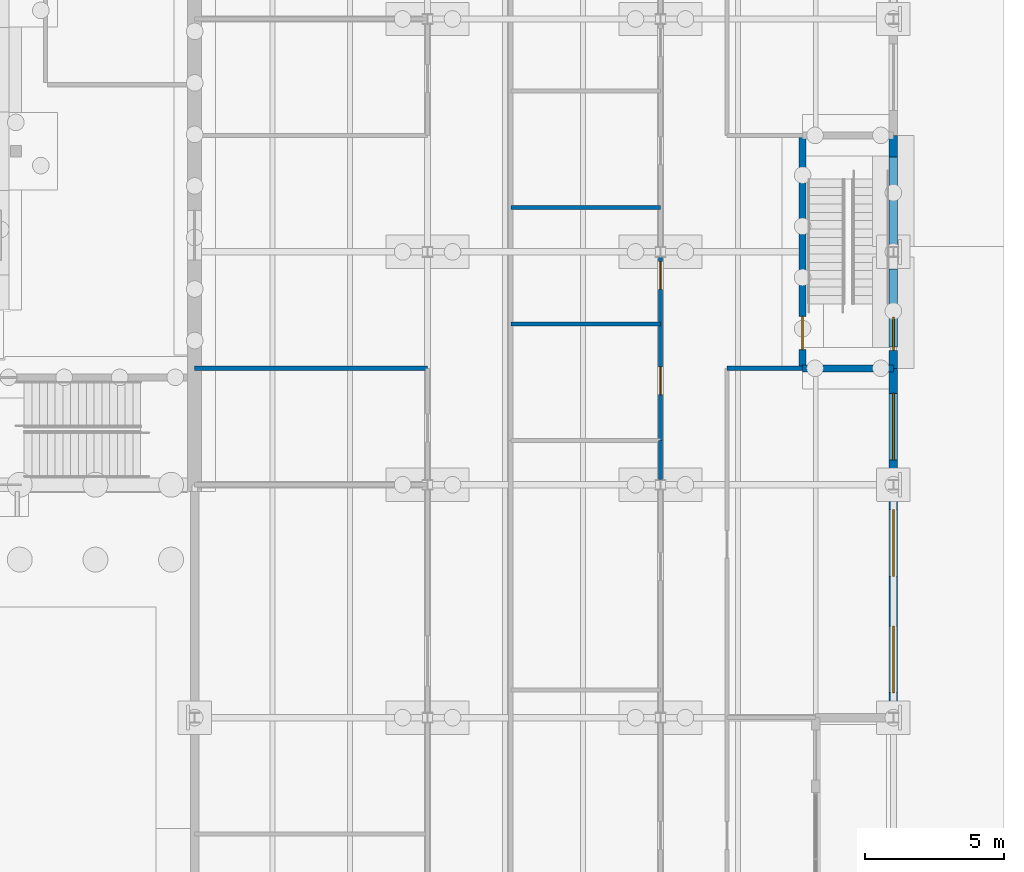
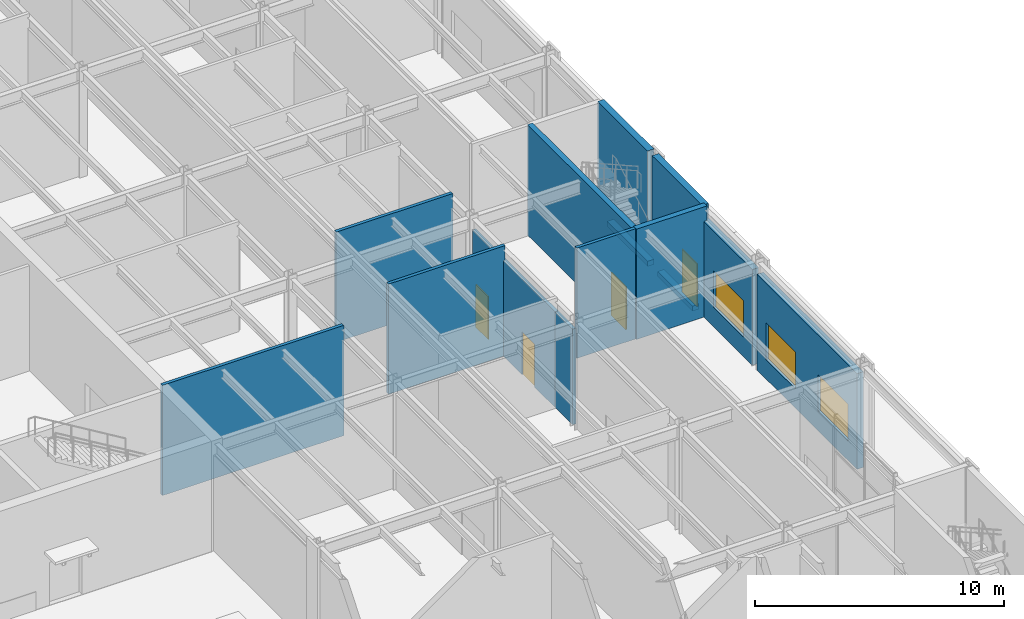
# One storey, part 63 of 127: 14 walls, 4 doors, 3 windows, 7 openings.
"""IFC4 building model written with IfcOpenShell, lengths in metres."""

from ifc_helpers import new_model, si_unit, direction, frame, frame_2d, origin, place, context, subcontext, project, spatial, rectangle, extrude, material, layer, layer_set, type_object, element, fill, save


model = new_model("IFC4")

# Units and contexts
model_context = context("Model", 3, precision=1e-05, world=origin(), true_north=direction((0.0, 1.0)))
body_context = subcontext(model_context, "Body", "Model", "MODEL_VIEW")
ifc_project = project(units=[si_unit("LENGTHUNIT", "METRE"), si_unit("AREAUNIT", "SQUARE_METRE"), si_unit("VOLUMEUNIT", "CUBIC_METRE"), si_unit("PLANEANGLEUNIT", "RADIAN"), si_unit("MASSUNIT", "GRAM", prefix="KILO")], contexts=[model_context])

# Site, building, storey
site_placement = place(None, origin())
site = spatial("IfcSite", under=ifc_project, at=site_placement, CompositionType="ELEMENT")
building_placement = place(site_placement, origin())
building = spatial("IfcBuilding", under=site, at=building_placement, Name="Ljudholm Concert House", CompositionType="ELEMENT")
storey_placement = place(building_placement, origin())
storey = spatial("IfcBuildingStorey", under=building, at=storey_placement, Name="L00", CompositionType="ELEMENT", Elevation=0.0)

# Wall, openings, doors
ifc_material_1 = material(Name="Gypsum board on steel studs", Category="steel")
ifc_layer_1 = layer(ifc_material_1, 0.14990234375)
ifc_layer_set_1 = layer_set([ifc_layer_1], Name="Gypsum board on steel studs")
wall_type_1 = type_object("IfcWallType", Name="GYPSUM PARTITION 150", PredefinedType="PARTITIONING", material=ifc_layer_set_1)
wall_1_placement = place(storey_placement, frame((113.199951171875, 56.0, 0.0), z_axis=(0.0, 0.0, 1.0), x_axis=(0.0, 1.0, 0.0)))
wall_1 = element("IfcWall", 1, at=wall_1_placement, inside=storey, type_object=wall_type_1, Name="Partition", PredefinedType="PARTITIONING", context=body_context, shape_type="SweptSolid", body=[
    extrude(rectangle(XDim=6.61328125, YDim=0.14990234375, at=frame_2d((3.306640625, 0.0))), origin(), (0.0, 0.0, 1.0), 4.6865234375),
])
opening_1_placement = place(wall_1_placement, frame((1.64990234375, 0.0, 0.0)))
opening_1 = element("IfcOpeningElement", 2, at=opening_1_placement, cuts=wall_1, Name="Opening D-W00-029", PredefinedType="OPENING", context=body_context, shape_type="SweptSolid", body=[
    extrude(rectangle(XDim=1.0, YDim=2.10009765625, at=frame_2d((0.5, 1.050048828125))), frame((0.0, 0.0849609375, 0.0), z_axis=(0.0, -1.0, 0.0), x_axis=(1.0, 0.0, 0.0)), (0.0, 0.0, 1.0), 0.169921875),
])
opening_2_placement = place(wall_1_placement, frame((5.449951171875, 0.0, 0.0)))
opening_2 = element("IfcOpeningElement", 3, at=opening_2_placement, cuts=wall_1, Name="Opening D-W00-030", PredefinedType="OPENING", context=body_context, shape_type="SweptSolid", body=[
    extrude(rectangle(XDim=1.0, YDim=2.10009765625, at=frame_2d((0.5, 1.050048828125))), frame((0.0, 0.0849609375, 0.0), z_axis=(0.0, -1.0, 0.0), x_axis=(1.0, 0.0, 0.0)), (0.0, 0.0, 1.0), 0.169921875),
])
ifc_material_2 = material(Name="Hollow metal door in steel frame", Category="steel")
door_type_1 = type_object("IfcDoorType", Name="SWING DOOR 1000x2100", OperationType="SINGLE_SWING_LEFT", PredefinedType="DOOR", material=ifc_material_2)
door_1_placement = place(opening_1_placement, origin())
door_1 = element("IfcDoor", 4, at=door_1_placement, inside=storey, type_object=door_type_1, Name="Door", OperationType="SINGLE_SWING_LEFT", OverallHeight=2.10009765625, OverallWidth=1.0, PredefinedType="DOOR", context=body_context, shape_type="SweptSolid", body=[
    extrude(rectangle(XDim=1.0, YDim=2.10009765625, at=frame_2d((0.5, 1.050048828125))), frame((0.0, 0.02490234375, 0.0), z_axis=(0.0, -1.0, 0.0), x_axis=(1.0, 0.0, 0.0)), (0.0, 0.0, 1.0), 0.050048828125),
])
fill(opening_1, door_1)
door_2_placement = place(opening_2_placement, origin())
door_2 = element("IfcDoor", 5, at=door_2_placement, inside=storey, type_object=door_type_1, Name="Door", OperationType="SINGLE_SWING_LEFT", OverallHeight=2.10009765625, OverallWidth=1.0, PredefinedType="DOOR", context=body_context, shape_type="SweptSolid", body=[
    extrude(rectangle(XDim=1.0, YDim=2.10009765625, at=frame_2d((0.5, 1.050048828125))), frame((0.0, 0.02490234375, 0.0), z_axis=(0.0, -1.0, 0.0), x_axis=(1.0, 0.0, 0.0)), (0.0, 0.0, 1.0), 0.050048828125),
])
fill(opening_2, door_2)

# Walls
wall_2_placement = place(storey_placement, frame((113.199951171875, 54.586669921875, 0.0), z_axis=(0.0, 0.0, 1.0), x_axis=(0.0, 1.0, 0.0)))
element("IfcWall", 6, at=wall_2_placement, inside=storey, type_object=wall_type_1, Name="Partition", PredefinedType="PARTITIONING", context=body_context, shape_type="SweptSolid", body=[
    extrude(rectangle(XDim=1.413330078125, YDim=0.14990234375, at=frame_2d((0.70654296875, 0.0))), origin(), (0.0, 0.0, 1.0), 4.6865234375),
])
wall_3_placement = place(storey_placement, frame((96.39990234375, 58.60009765625, 0.0), z_axis=(0.0, 0.0, 1.0), x_axis=(1.0, 0.0, 0.0)))
element("IfcWall", 7, at=wall_3_placement, inside=storey, type_object=wall_type_1, Name="Partition", PredefinedType="PARTITIONING", context=body_context, shape_type="SweptSolid", body=[
    extrude(rectangle(XDim=8.400146484375, YDim=0.14990234375, at=frame_2d((4.2001953125, 0.0))), origin(), (0.0, 0.0, 1.0), 5.39990234375),
])
wall_4_placement = place(storey_placement, frame((115.60009765625, 58.60009765625, 0.0), z_axis=(0.0, 0.0, 1.0), x_axis=(1.0, 0.0, 0.0)))
element("IfcWall", 8, at=wall_4_placement, inside=storey, type_object=wall_type_1, Name="Partition", PredefinedType="PARTITIONING", context=body_context, shape_type="SweptSolid", body=[
    extrude(rectangle(XDim=2.724853515625, YDim=0.14990234375, at=frame_2d((1.3623046875, 0.0))), origin(), (0.0, 0.0, 1.0), 5.39990234375),
])
for number, where, z_axis, x_axis, name in (
    (9, (107.800048828125, 60.199951171875, 0.0), (0.0, 0.0, 1.0), (1.0, 0.0, 0.0), "Partition"),
    (10, (107.800048828125, 64.39990234375, 0.0), (0.0, 0.0, 1.0), (1.0, 0.0, 0.0), "Partition"),
):
    element("IfcWall", number, at=place(storey_placement, frame(where, z_axis=z_axis, x_axis=x_axis)), inside=storey, type_object=wall_type_1, Name=name, PredefinedType="PARTITIONING", context=body_context, shape_type="SweptSolid", body=[
        extrude(rectangle(XDim=5.39990234375, YDim=0.14990234375, at=frame_2d((2.699951171875, 0.0))), origin(), (0.0, 0.0, 1.0), 5.39990234375),
    ])

# Wall, openings, windows
ifc_material_3 = material(Name="Precast concrete 5,000 psi", Category="concrete")
ifc_layer_2 = layer(ifc_material_3, 0.300048828125)
ifc_layer_set_2 = layer_set([ifc_layer_2], Name="Precast concrete 5,000 psi")
wall_type_2 = type_object("IfcWallType", Name="PRECAST PANEL WALL 300", PredefinedType="SOLIDWALL", material=ifc_layer_set_2)
wall_5_placement = place(storey_placement, frame((121.60009765625, 46.186767578125, 0.0), z_axis=(0.0, 0.0, 1.0), x_axis=(0.0, 1.0, 0.0)))
wall_5 = element("IfcWall", 11, at=wall_5_placement, inside=storey, type_object=wall_type_2, Name="Facade wall", PredefinedType="SOLIDWALL", context=body_context, shape_type="SweptSolid", body=[
    extrude(rectangle(XDim=8.026611328125, YDim=0.300048828125, at=frame_2d((4.01318359375, 0.0))), origin(), (0.0, 0.0, 1.0), 4.6865234375),
])
opening_3_placement = place(wall_5_placement, frame((0.71337890625, 0.0, 0.949951171875)))
opening_3 = element("IfcOpeningElement", 12, at=opening_3_placement, cuts=wall_5, Name="Opening X-W00-003", PredefinedType="OPENING", context=body_context, shape_type="SweptSolid", body=[
    extrude(rectangle(XDim=2.39990234375, YDim=1.800048828125, at=frame_2d((1.199951171875, 0.89990234375))), frame((0.0, 0.159912109375, 0.0), z_axis=(0.0, -1.0, 0.0), x_axis=(1.0, 0.0, 0.0)), (0.0, 0.0, 1.0), 0.320068359375),
])
opening_4_placement = place(wall_5_placement, frame((4.913330078125, 0.0, 0.949951171875)))
opening_4 = element("IfcOpeningElement", 13, at=opening_4_placement, cuts=wall_5, Name="Opening X-W00-004", PredefinedType="OPENING", context=body_context, shape_type="SweptSolid", body=[
    extrude(rectangle(XDim=2.39990234375, YDim=1.800048828125, at=frame_2d((1.199951171875, 0.89990234375))), frame((0.0, 0.159912109375, 0.0), z_axis=(0.0, -1.0, 0.0), x_axis=(1.0, 0.0, 0.0)), (0.0, 0.0, 1.0), 0.320068359375),
])
ifc_material_4 = material(Name="Aluminium frame, impact glazing", Category="aluminium")
window_type = type_object("IfcWindowType", Name="CASEMENT WINDOW 2400x1800", PartitioningType="DOUBLE_PANEL_VERTICAL", PredefinedType="WINDOW", material=ifc_material_4)
window_1_placement = place(opening_3_placement, origin())
window_1 = element("IfcWindow", 14, at=window_1_placement, inside=storey, type_object=window_type, Name="Window", OverallHeight=1.800048828125, OverallWidth=2.39990234375, PartitioningType="DOUBLE_PANEL_VERTICAL", PredefinedType="WINDOW", context=body_context, shape_type="SweptSolid", body=[
    extrude(rectangle(XDim=2.39990234375, YDim=1.800048828125, at=frame_2d((1.199951171875, 0.89990234375))), frame((0.0, 0.030029296875, 0.0), z_axis=(0.0, -1.0, 0.0), x_axis=(1.0, 0.0, 0.0)), (0.0, 0.0, 1.0), 0.06005859375),
])
fill(opening_3, window_1)
window_2_placement = place(opening_4_placement, origin())
window_2 = element("IfcWindow", 15, at=window_2_placement, inside=storey, type_object=window_type, Name="Window", OverallHeight=1.800048828125, OverallWidth=2.39990234375, PartitioningType="DOUBLE_PANEL_VERTICAL", PredefinedType="WINDOW", context=body_context, shape_type="SweptSolid", body=[
    extrude(rectangle(XDim=2.39990234375, YDim=1.800048828125, at=frame_2d((1.199951171875, 0.89990234375))), frame((0.0, 0.030029296875, 0.0), z_axis=(0.0, -1.0, 0.0), x_axis=(1.0, 0.0, 0.0)), (0.0, 0.0, 1.0), 0.06005859375),
])
fill(opening_4, window_2)

# Wall, opening, window
wall_6_placement = place(storey_placement, frame((121.60009765625, 54.586669921875, 0.0), z_axis=(0.0, 0.0, 1.0), x_axis=(0.0, 1.0, 0.0)))
wall_6 = element("IfcWall", 16, at=wall_6_placement, inside=storey, type_object=wall_type_2, Name="Facade wall", PredefinedType="SOLIDWALL", context=body_context, shape_type="SweptSolid", body=[
    extrude(rectangle(XDim=4.013427734375, YDim=0.300048828125, at=frame_2d((2.0068359375, 0.0))), origin(), (0.0, 0.0, 1.0), 4.6865234375),
])
opening_5_placement = place(wall_6_placement, frame((0.71337890625, 0.0, 0.949951171875)))
opening_5 = element("IfcOpeningElement", 17, at=opening_5_placement, cuts=wall_6, Name="Opening X-W00-005", PredefinedType="OPENING", context=body_context, shape_type="SweptSolid", body=[
    extrude(rectangle(XDim=2.39990234375, YDim=1.800048828125, at=frame_2d((1.199951171875, 0.89990234375))), frame((0.0, 0.159912109375, 0.0), z_axis=(0.0, -1.0, 0.0), x_axis=(1.0, 0.0, 0.0)), (0.0, 0.0, 1.0), 0.320068359375),
])
window_3_placement = place(opening_5_placement, origin())
window_3 = element("IfcWindow", 18, at=window_3_placement, inside=storey, type_object=window_type, Name="Window", OverallHeight=1.800048828125, OverallWidth=2.39990234375, PartitioningType="DOUBLE_PANEL_VERTICAL", PredefinedType="WINDOW", context=body_context, shape_type="SweptSolid", body=[
    extrude(rectangle(XDim=2.39990234375, YDim=1.800048828125, at=frame_2d((1.199951171875, 0.89990234375))), frame((0.0, 0.030029296875, 0.0), z_axis=(0.0, -1.0, 0.0), x_axis=(1.0, 0.0, 0.0)), (0.0, 0.0, 1.0), 0.06005859375),
])
fill(opening_5, window_3)

# Wall, opening, door
ifc_material_5 = material(Name="Concrete 6,500 psi", Category="concrete")
ifc_layer_3 = layer(ifc_material_5, 0.25)
ifc_layer_set_3 = layer_set([ifc_layer_3], Name="Concrete 6,500 psi")
wall_type_3 = type_object("IfcWallType", Name="RC CORE WALL 250", PredefinedType="SHEAR", material=ifc_layer_set_3)
wall_7_placement = place(storey_placement, frame((118.324951171875, 58.60009765625, 0.0), z_axis=(0.0, 0.0, 1.0), x_axis=(0.0, 1.0, 0.0)))
wall_7 = element("IfcWall", 19, at=wall_7_placement, inside=storey, type_object=wall_type_3, Name="Stair core wall", PredefinedType="SHEAR", context=body_context, shape_type="SweptSolid", body=[
    extrude(rectangle(XDim=8.39990234375, YDim=0.25, at=frame_2d((4.199951171875, 0.0))), origin(), (0.0, 0.0, 1.0), 5.39990234375),
])
opening_6_placement = place(wall_7_placement, frame((0.675048828125, 0.0, 0.0)))
opening_6 = element("IfcOpeningElement", 20, at=opening_6_placement, cuts=wall_7, Name="Opening D-W00-012", PredefinedType="OPENING", context=body_context, shape_type="SweptSolid", body=[
    extrude(rectangle(XDim=1.199951171875, YDim=2.10009765625, at=frame_2d((0.60009765625, 1.050048828125))), frame((0.0, 0.135009765625, 0.0), z_axis=(0.0, -1.0, 0.0), x_axis=(1.0, 0.0, 0.0)), (0.0, 0.0, 1.0), 0.27001953125),
])
ifc_material_6 = material(Name="Hollow metal door in steel frame", Category="steel")
door_type_2 = type_object("IfcDoorType", Name="SWING DOOR 1200x2100", OperationType="SINGLE_SWING_LEFT", PredefinedType="DOOR", material=ifc_material_6)
door_3_placement = place(opening_6_placement, origin())
door_3 = element("IfcDoor", 21, at=door_3_placement, inside=storey, type_object=door_type_2, Name="Door", OperationType="SINGLE_SWING_LEFT", OverallHeight=2.10009765625, OverallWidth=1.199951171875, PredefinedType="DOOR", context=body_context, shape_type="SweptSolid", body=[
    extrude(rectangle(XDim=1.199951171875, YDim=2.10009765625, at=frame_2d((0.60009765625, 1.050048828125))), frame((0.0, 0.02490234375, 0.0), z_axis=(0.0, -1.0, 0.0), x_axis=(1.0, 0.0, 0.0)), (0.0, 0.0, 1.0), 0.050048828125),
])
fill(opening_6, door_3)

# Wall
wall_8_placement = place(storey_placement, frame((118.324951171875, 58.60009765625, 0.0), z_axis=(0.0, 0.0, 1.0), x_axis=(1.0, 0.0, 0.0)))
element("IfcWall", 22, at=wall_8_placement, inside=storey, type_object=wall_type_3, Name="Stair core wall", PredefinedType="SHEAR", context=body_context, shape_type="SweptSolid", body=[
    extrude(rectangle(XDim=3.275146484375, YDim=0.25, at=frame_2d((1.6376953125, 0.0))), origin(), (0.0, 0.0, 1.0), 5.39990234375),
])

# Wall, opening, door
ifc_material_7 = material(Name="Concrete 6,500 psi", Category="concrete")
ifc_layer_4 = layer(ifc_material_7, 0.300048828125)
ifc_layer_set_4 = layer_set([ifc_layer_4], Name="Concrete 6,500 psi")
wall_type_4 = type_object("IfcWallType", Name="RC CORE WALL 300", PredefinedType="SHEAR", material=ifc_layer_set_4)
wall_9_placement = place(storey_placement, frame((121.60009765625, 58.60009765625, 0.0), z_axis=(0.0, 0.0, 1.0), x_axis=(0.0, 1.0, 0.0)))
wall_9 = element("IfcWall", 23, at=wall_9_placement, inside=storey, type_object=wall_type_4, Name="Stair core wall", PredefinedType="SHEAR", context=body_context, shape_type="SweptSolid", body=[
    extrude(rectangle(XDim=4.01318359375, YDim=0.300048828125, at=frame_2d((2.006591796875, 0.0))), origin(), (0.0, 0.0, 1.0), 5.39990234375),
])
opening_7_placement = place(wall_9_placement, frame((0.64990234375, 0.0, 0.0)))
opening_7 = element("IfcOpeningElement", 24, at=opening_7_placement, cuts=wall_9, Name="Opening D-W00-005", PredefinedType="OPENING", context=body_context, shape_type="SweptSolid", body=[
    extrude(rectangle(XDim=1.199951171875, YDim=2.10009765625, at=frame_2d((0.60009765625, 1.050048828125))), frame((0.0, 0.159912109375, 0.0), z_axis=(0.0, -1.0, 0.0), x_axis=(1.0, 0.0, 0.0)), (0.0, 0.0, 1.0), 0.320068359375),
])
ifc_material_8 = material(Name="Hollow metal door in steel frame", Category="steel")
door_type_3 = type_object("IfcDoorType", Name="SWING DOOR 1200x2100 EXTERNAL", OperationType="SINGLE_SWING_LEFT", PredefinedType="DOOR", material=ifc_material_8)
door_4_placement = place(opening_7_placement, frame((1.199951171875, 0.0, 0.0), z_axis=(0.0, 0.0, 1.0), x_axis=(-1.0, 0.0, 0.0)))
door_4 = element("IfcDoor", 25, at=door_4_placement, inside=storey, type_object=door_type_3, Name="Stair exit door", OperationType="SINGLE_SWING_RIGHT", OverallHeight=2.10009765625, OverallWidth=1.199951171875, PredefinedType="DOOR", context=body_context, shape_type="SweptSolid", body=[
    extrude(rectangle(XDim=1.199951171875, YDim=2.10009765625, at=frame_2d((0.60009765625, 1.050048828125))), frame((0.0, 0.02490234375, 0.0), z_axis=(0.0, -1.0, 0.0), x_axis=(1.0, 0.0, 0.0)), (0.0, 0.0, 1.0), 0.050048828125),
])
fill(opening_7, door_4)

# Walls
wall_10_placement = place(storey_placement, frame((121.60009765625, 62.986572265625, 0.0), z_axis=(0.0, 0.0, 1.0), x_axis=(0.0, 1.0, 0.0)))
element("IfcWall", 26, at=wall_10_placement, inside=storey, type_object=wall_type_4, Name="Stair core wall", PredefinedType="SHEAR", context=body_context, shape_type="SweptSolid", body=[
    extrude(rectangle(XDim=4.013427734375, YDim=0.300048828125, at=frame_2d((2.0068359375, 0.0))), origin(), (0.0, 0.0, 1.0), 5.39990234375),
])
ifc_material_9 = material(Name="Concrete 6,500 psi", Category="concrete")
ifc_layer_5 = layer(ifc_material_9, 0.300048828125)
ifc_layer_set_5 = layer_set([ifc_layer_5], Name="Concrete 6,500 psi")
wall_type_5 = type_object("IfcWallType", Name="RC WALL 300", PredefinedType="SOLIDWALL", material=ifc_layer_set_5)
wall_11_placement = place(storey_placement, frame((121.60009765625, 59.3701171875, -0.25), z_axis=(0.0, 0.0, 1.0), x_axis=(0.0, 1.0, 0.0)))
element("IfcWall", 27, at=wall_11_placement, inside=storey, type_object=wall_type_5, Name="Wall stem", PredefinedType="SOLIDWALL", context=body_context, shape_type="SweptSolid", body=[
    extrude(rectangle(XDim=2.809814453125, YDim=0.300048828125, at=frame_2d((1.40478515625, 0.0))), origin(), (0.0, 0.0, 1.0), 0.25),
])
wall_12_placement = place(storey_placement, frame((121.60009765625, 62.986572265625, -0.25), z_axis=(0.0, 0.0, 1.0), x_axis=(0.0, 1.0, 0.0)))
element("IfcWall", 28, at=wall_12_placement, inside=storey, type_object=wall_type_5, Name="Wall stem", PredefinedType="SOLIDWALL", context=body_context, shape_type="SweptSolid", body=[
    extrude(rectangle(XDim=3.243408203125, YDim=0.300048828125, at=frame_2d((1.62158203125, 0.0))), origin(), (0.0, 0.0, 1.0), 0.25),
])

save(model, "model.ifc")
